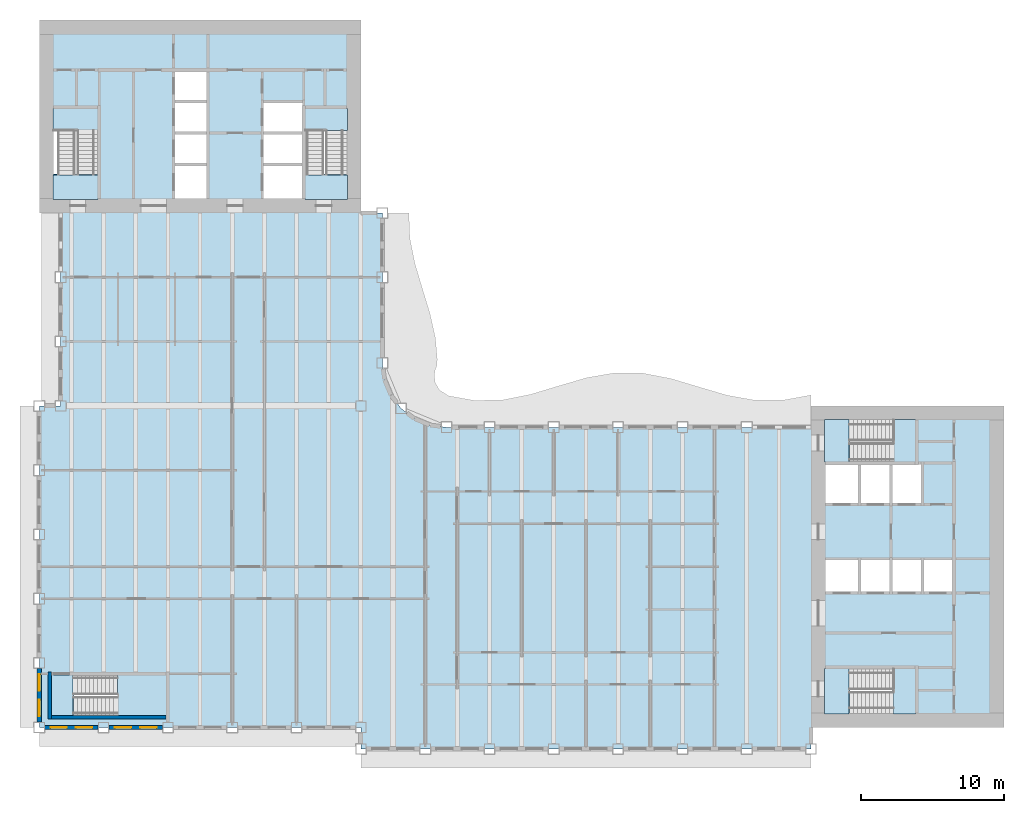
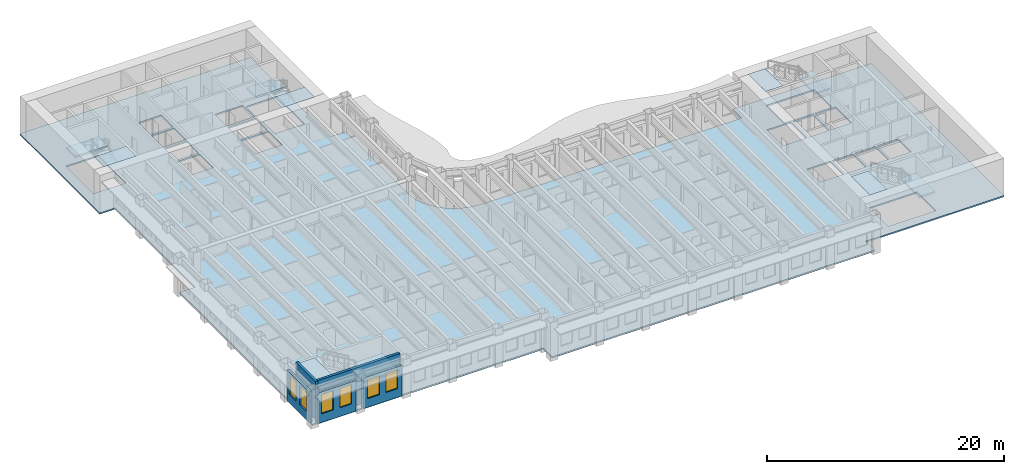
# One storey, part 2 of 16: 11 slabs, 6 windows, 5 walls, 6 openings, 5 elements without a shape of their own.
"""IFC4 building model written with IfcOpenShell, lengths in metres."""

import ifcopenshell
import ifcopenshell.guid

model = None  # the IFC model being written
_history = None  # IfcOwnerHistory: only IFC2X3 demands one
_inside = {}  # id of a spatial element -> (the spatial element, [elements in it])
_under = {}  # id of a project, library or spatial element -> (it, [spatial elements below it])
_declared = {}  # id of a project -> (the project, [libraries it declares])
_typed = {}  # id of a type object -> (the type object, [elements of that type])
_made_of = {}  # id of a material, layer set ... -> (it, [elements and type objects made of it])


def new_model(schema):
    """Start an empty IFC model of exactly this schema.

    Asked for "IFC4X3", IfcOpenShell would pick the latest addendum, in which some entities
    have other attributes; the version numbers below select the first issue.
    IFC2X3 requires an IfcOwnerHistory on every rooted entity: one is made here for all.
    """
    global model, _history
    if schema == "IFC4X3":
        model = ifcopenshell.file(schema_version=(4, 3, 0, 0))
    else:
        model = ifcopenshell.file(schema=schema)
    _inside.clear()
    _under.clear()
    _declared.clear()
    _typed.clear()
    _made_of.clear()
    _history = None
    if model.schema == "IFC2X3":
        org = make("IfcOrganization", Name="unknown")
        user = make(
            "IfcPersonAndOrganization",
            ThePerson=make("IfcPerson", FamilyName="unknown"),
            TheOrganization=org,
        )
        app = make(
            "IfcApplication",
            ApplicationDeveloper=org,
            Version="unknown",
            ApplicationFullName="unknown",
            ApplicationIdentifier="unknown",
        )
        _history = make(
            "IfcOwnerHistory",
            OwningUser=user,
            OwningApplication=app,
            ChangeAction="ADDED",
            CreationDate=0,
        )
    return model


def make(cls, **values):
    """One entity of the class cls with the attributes given. An attribute that is None is left unset."""
    return model.create_entity(
        cls, **{name: value for name, value in values.items() if value is not None}
    )


def rooted(cls, **values):
    """An entity with a GlobalId (a new one), such as an element, a storey or a relation."""
    return make(cls, GlobalId=ifcopenshell.guid.new(), OwnerHistory=_history, **values)


def si_unit(unit_type, name, prefix=None):
    """IfcSIUnit, for example si_unit("LENGTHUNIT", "METRE", prefix="MILLI")."""
    return make("IfcSIUnit", UnitType=unit_type, Prefix=prefix, Name=name)


def assignment(units):
    """IfcUnitAssignment: the units of a project."""
    return None if units is None else make("IfcUnitAssignment", Units=units)


def point(xyz):
    """IfcCartesianPoint."""
    return None if xyz is None else make("IfcCartesianPoint", Coordinates=xyz)


def direction(xyz):
    """IfcDirection."""
    return None if xyz is None else make("IfcDirection", DirectionRatios=xyz)


def frame(location, z_axis=None, x_axis=None):
    """IfcAxis2Placement3D, a coordinate frame: its origin and axes. An axis left out is left unset."""
    return make(
        "IfcAxis2Placement3D",
        Location=point(location),
        Axis=direction(z_axis),
        RefDirection=direction(x_axis),
    )


def frame_2d(location, x_axis=None):
    """IfcAxis2Placement2D, a coordinate frame in the plane: its origin and x axis."""
    return make(
        "IfcAxis2Placement2D", Location=point(location), RefDirection=direction(x_axis)
    )


def origin():
    """The frame at (0, 0, 0) with its axes left unset."""
    return frame((0.0, 0.0, 0.0))


def place(relative_to, where):
    """IfcLocalPlacement: puts the frame where relative to a parent placement (None: the world)."""
    return make(
        "IfcLocalPlacement", PlacementRelTo=relative_to, RelativePlacement=where
    )


def context(
    kind, dimensions, precision=None, world=None, true_north=None, identifier=None
):
    """IfcGeometricRepresentationContext, for example the 3D "Model" context."""
    return make(
        "IfcGeometricRepresentationContext",
        ContextIdentifier=identifier,
        ContextType=kind,
        CoordinateSpaceDimension=dimensions,
        Precision=precision,
        WorldCoordinateSystem=world,
        TrueNorth=true_north,
    )


def subcontext(parent, identifier, kind, view, scale=None):
    """IfcGeometricRepresentationSubContext, for example "Body" below "Model"."""
    return make(
        "IfcGeometricRepresentationSubContext",
        ContextIdentifier=identifier,
        ContextType=kind,
        ParentContext=parent,
        TargetScale=scale,
        TargetView=view,
    )


def project(units=None, contexts=None):
    """IfcProject with its units and contexts."""
    return rooted(
        "IfcProject",
        Name="project",
        RepresentationContexts=contexts,
        UnitsInContext=assignment(units),
    )


def spatial(cls, under=None, at=None, **own):
    """A site, building, storey or space (cls), placed at a placement, below another one or the project."""
    s = rooted(cls, ObjectPlacement=at, **own)
    if under is not None:
        _under.setdefault(under.id(), (under, []))[1].append(s)
    return s


def polyline(points):
    """IfcPolyline through the points."""
    return make("IfcPolyline", Points=[point(p) for p in points])


def profile(cls, at=None, kind="AREA", **sizes):
    """A parametric profile (cls). Its sizes go by their IFC names, for example OverallWidth=200.0."""
    return make(cls, ProfileType=kind, Position=at, **sizes)


def rectangle(**sizes):
    """IfcRectangleProfileDef."""
    return profile("IfcRectangleProfileDef", **sizes)


def outline(outer, holes=None, kind="AREA"):
    """IfcArbitraryClosedProfileDef: a profile drawn as a closed curve; with holes, ...WithVoids."""
    if holes is None:
        return make("IfcArbitraryClosedProfileDef", ProfileType=kind, OuterCurve=outer)
    return make(
        "IfcArbitraryProfileDefWithVoids",
        ProfileType=kind,
        OuterCurve=outer,
        InnerCurves=holes,
    )


def extrude(swept, where, along, depth):
    """IfcExtrudedAreaSolid: the profile swept, set in the frame where, extruded along a direction by depth."""
    return make(
        "IfcExtrudedAreaSolid",
        SweptArea=swept,
        Position=where,
        ExtrudedDirection=direction(along),
        Depth=depth,
    )


def shape(context_of_items, identifier, shape_type, items):
    """IfcShapeRepresentation: the items that make up one representation, for example the "Body"."""
    return make(
        "IfcShapeRepresentation",
        ContextOfItems=context_of_items,
        RepresentationIdentifier=identifier,
        RepresentationType=shape_type,
        Items=items,
    )


def material(Name=None, Category=None):
    """IfcMaterial."""
    return make("IfcMaterial", Name=Name, Category=Category)


def layer(
    of_material, thickness, ventilated=None, Name=None, Category=None, Priority=None
):
    """IfcMaterialLayer: one layer of a wall or slab, of a material (None: an air gap)."""
    return make(
        "IfcMaterialLayer",
        Material=of_material,
        LayerThickness=thickness,
        IsVentilated=ventilated,
        Name=Name,
        Category=Category,
        Priority=Priority,
    )


def layer_set(layers, Name=None):
    """IfcMaterialLayerSet."""
    return make("IfcMaterialLayerSet", MaterialLayers=layers, LayerSetName=Name)


def made_of(thing, what):
    """Note that an element or type object is made of a material, layer set ...; save() writes the relation."""
    if what is not None:
        _made_of.setdefault(what.id(), (what, []))[1].append(thing)
    return thing


def type_object(cls, material=None, **own):
    """A type object (cls), such as IfcWallType, which elements share."""
    return made_of(rooted(cls, **own), material)


def element(
    cls,
    number,
    at=None,
    inside=None,
    cuts=None,
    type_object=None,
    material=None,
    context=None,
    identifier="Body",
    shape_type=None,
    held_by="IfcProductDefinitionShape",
    body=None,
    shapes=None,
    **own,
):
    """One element of the class cls, such as IfcWall. Its Tag is "e" and its number.

    at: its placement. inside: the storey or other place that contains it. cuts: it is an
    opening in that element (IfcRelVoidsElement). A single representation is given by context,
    identifier, shape_type and body (its items); several are given by shapes. held_by: the class
    of the entity that holds the representations. save() writes the other relations.
    """
    e = rooted(cls, Tag="e%d" % number, ObjectPlacement=at, **own)
    if body is not None:
        shapes = [shape(context, identifier, shape_type, body)]
    if shapes is not None:
        e.Representation = make(held_by, Representations=shapes)
    if inside is not None:
        _inside.setdefault(inside.id(), (inside, []))[1].append(e)
    if cuts is not None:
        rooted(
            "IfcRelVoidsElement", RelatingBuildingElement=cuts, RelatedOpeningElement=e
        )
    if type_object is not None:
        _typed.setdefault(type_object.id(), (type_object, []))[1].append(e)
    return made_of(e, material)


def fill(opening, filler):
    """IfcRelFillsElement: the door or window that sits in an opening."""
    return rooted(
        "IfcRelFillsElement",
        RelatingOpeningElement=opening,
        RelatedBuildingElement=filler,
    )


def aggregate(whole, parts):
    """IfcRelAggregates: a whole, such as a stair, and the parts it consists of."""
    return rooted("IfcRelAggregates", RelatingObject=whole, RelatedObjects=parts)


def save(model, path):
    """Write the relations noted so far, then the file.

    IfcRelAggregates (storeys below a building ...), IfcRelContainedInSpatialStructure (elements
    in a storey), IfcRelDefinesByType, IfcRelAssociatesMaterial and IfcRelDeclares: one each for
    every whole, place, type object, material and project.
    """
    for whole, parts in _under.values():
        aggregate(whole, parts)
    for where, things in _inside.values():
        rooted(
            "IfcRelContainedInSpatialStructure",
            RelatedElements=things,
            RelatingStructure=where,
        )
    for kind, things in _typed.values():
        rooted("IfcRelDefinesByType", RelatedObjects=things, RelatingType=kind)
    for what, things in _made_of.values():
        rooted("IfcRelAssociatesMaterial", RelatedObjects=things, RelatingMaterial=what)
    for by, libraries in _declared.values():
        rooted("IfcRelDeclares", RelatingContext=by, RelatedDefinitions=libraries)
    model.write(path)


model = new_model("IFC4")

# Units and contexts
model_context = context("Model", 3, precision=1e-05, world=origin(), true_north=direction((0.0, 1.0)))
body_context = subcontext(model_context, "Body", "Model", "MODEL_VIEW")
ifc_project = project(units=[si_unit("LENGTHUNIT", "METRE"), si_unit("AREAUNIT", "SQUARE_METRE"), si_unit("VOLUMEUNIT", "CUBIC_METRE"), si_unit("PLANEANGLEUNIT", "RADIAN"), si_unit("MASSUNIT", "GRAM", prefix="KILO")], contexts=[model_context])

# Site, building, storey
site_placement = place(None, origin())
site = spatial("IfcSite", under=ifc_project, at=site_placement, CompositionType="ELEMENT")
building_placement = place(site_placement, origin())
building = spatial("IfcBuilding", under=site, at=building_placement, Name="Sennacour Bend Tower", CompositionType="ELEMENT")
storey_placement = place(building_placement, frame((0.0, 0.0, 231.0)))
storey = spatial("IfcBuildingStorey", under=building, at=storey_placement, Name="L53", CompositionType="ELEMENT", Elevation=231.0)

# Slabs
ifc_material_1 = material(Name="Concrete C30/37", Category="concrete")
ifc_layer_1 = layer(ifc_material_1, 0.14990234375, Name="Concrete C30/37", Category="concrete")
ifc_layer_set_1 = layer_set([ifc_layer_1], Name="Concrete C30/37")
slab_type_1 = type_object("IfcSlabType", Name="Floor slab 150", PredefinedType="FLOOR", material=ifc_layer_set_1)
slab_1_placement = place(storey_placement, frame((0.0, 0.0, -0.14990234375)))
element("IfcSlab", 1, at=slab_1_placement, inside=storey, type_object=slab_type_1, Name="Floor slab L53-01", PredefinedType="FLOOR", context=body_context, shape_type="SweptSolid", body=[
    extrude(outline(polyline([(22.5, 0.0), (0.0, 0.0), (0.0, 22.5), (1.5, 22.5), (1.5, 36.0), (0.0, 36.0), (0.0, 49.5), (22.5, 49.5), (22.5, 36.0), (24.0, 36.0), (24.0, 25.5), (24.1533203125, 24.335205078125), (24.602783203125, 23.25), (25.318115234375, 22.318115234375), (26.25, 21.602783203125), (27.335205078125, 21.1533203125), (28.5, 21.0), (54.0, 21.0), (54.0, 22.5), (67.5, 22.5), (67.5, 0.0), (54.0, 0.0), (54.0, -1.5), (22.5, -1.5), (22.5, 0.0)]), holes=[polyline([(8.800048828125, 0.949951171875), (8.800048828125, 3.5), (2.429931640625, 3.5), (2.429931640625, 0.949951171875), (8.800048828125, 0.949951171875)]), polyline([(11.699951171875, 37.0), (11.699951171875, 39.300048828125), (9.5, 39.300048828125), (9.5, 37.0), (11.699951171875, 37.0)]), polyline([(18.39990234375, 37.0), (18.39990234375, 39.300048828125), (15.699951171875, 39.300048828125), (15.699951171875, 37.0), (18.39990234375, 37.0)]), polyline([(11.699951171875, 39.5), (11.699951171875, 41.5), (9.5, 41.5), (9.5, 39.5), (11.699951171875, 39.5)]), polyline([(18.39990234375, 39.5), (18.39990234375, 41.5), (15.699951171875, 41.5), (15.699951171875, 39.5), (18.39990234375, 39.5)]), polyline([(4.125, 38.72998046875), (4.125, 43.39990234375), (0.949951171875, 43.39990234375), (0.949951171875, 38.72998046875), (4.125, 38.72998046875)]), polyline([(21.550048828125, 38.72998046875), (21.550048828125, 43.39990234375), (18.574951171875, 43.39990234375), (18.574951171875, 38.72998046875), (21.550048828125, 38.72998046875)]), polyline([(9.5, 41.699951171875), (11.699951171875, 41.699951171875), (11.699951171875, 43.699951171875), (9.5, 43.699951171875), (9.5, 41.699951171875)]), polyline([(15.699951171875, 41.699951171875), (18.39990234375, 41.699951171875), (18.39990234375, 43.699951171875), (15.699951171875, 43.699951171875), (15.699951171875, 41.699951171875)]), polyline([(11.699951171875, 43.89990234375), (11.699951171875, 45.89990234375), (9.5, 45.89990234375), (9.5, 43.89990234375), (11.699951171875, 43.89990234375)]), polyline([(61.39990234375, 0.949951171875), (61.39990234375, 4.125), (56.72998046875, 4.125), (56.72998046875, 0.949951171875), (61.39990234375, 0.949951171875)]), polyline([(57.300048828125, 9.5), (57.300048828125, 11.699951171875), (55.0, 11.699951171875), (55.0, 9.5), (57.300048828125, 9.5)]), polyline([(57.5, 9.5), (59.5, 9.5), (59.5, 11.699951171875), (57.5, 11.699951171875), (57.5, 9.5)]), polyline([(59.699951171875, 9.5), (61.699951171875, 9.5), (61.699951171875, 11.699951171875), (59.699951171875, 11.699951171875), (59.699951171875, 9.5)]), polyline([(63.89990234375, 9.5), (63.89990234375, 11.699951171875), (61.89990234375, 11.699951171875), (61.89990234375, 9.5), (63.89990234375, 9.5)]), polyline([(57.300048828125, 15.699951171875), (57.300048828125, 18.39990234375), (55.0, 18.39990234375), (55.0, 15.699951171875), (57.300048828125, 15.699951171875)]), polyline([(59.5, 15.699951171875), (59.5, 18.39990234375), (57.5, 18.39990234375), (57.5, 15.699951171875), (59.5, 15.699951171875)]), polyline([(59.699951171875, 15.699951171875), (61.699951171875, 15.699951171875), (61.699951171875, 18.39990234375), (59.699951171875, 18.39990234375), (59.699951171875, 15.699951171875)]), polyline([(56.72998046875, 18.574951171875), (61.39990234375, 18.574951171875), (61.39990234375, 21.550048828125), (56.72998046875, 21.550048828125), (56.72998046875, 18.574951171875)])]), origin(), (0.0, 0.0, 1.0), 0.14990234375),
])
ifc_material_2 = material(Name="Concrete C40/50", Category="concrete")
ifc_layer_2 = layer(ifc_material_2, 0.034912109375, Name="Concrete C40/50", Category="concrete")
ifc_layer_set_2 = layer_set([ifc_layer_2], Name="Concrete C40/50")
slab_type_2 = type_object("IfcSlabType", Name="Stair arrival nib 35", PredefinedType="FLOOR", material=ifc_layer_set_2)
slab_2_placement = place(storey_placement, frame((0.0, 0.0, 3.815185546875)))
element("IfcSlab", 2, at=slab_2_placement, inside=storey, type_object=slab_type_2, Name="L53 SA1 stair arrival nib", PredefinedType="FLOOR", context=body_context, shape_type="SweptSolid", body=[
    extrude(outline(polyline([(56.64208984375, 4.125), (54.949951171875, 4.125), (54.949951171875, 0.949951171875), (56.64208984375, 0.949951171875), (56.64208984375, 4.125)])), origin(), (0.0, 0.0, 1.0), 0.034912109375),
])
slab_3_placement = place(storey_placement, frame((0.0, 0.0, 3.815185546875)))
element("IfcSlab", 3, at=slab_3_placement, inside=storey, type_object=slab_type_2, Name="L53 SA2 stair arrival nib", PredefinedType="FLOOR", context=body_context, shape_type="SweptSolid", body=[
    extrude(outline(polyline([(56.64208984375, 21.550048828125), (54.949951171875, 21.550048828125), (54.949951171875, 18.574951171875), (56.64208984375, 18.574951171875), (56.64208984375, 21.550048828125)])), origin(), (0.0, 0.0, 1.0), 0.034912109375),
])
slab_4_placement = place(storey_placement, frame((0.0, 0.0, 3.815185546875)))
element("IfcSlab", 4, at=slab_4_placement, inside=storey, type_object=slab_type_2, Name="L53 SB1 stair arrival nib", PredefinedType="FLOOR", context=body_context, shape_type="SweptSolid", body=[
    extrude(outline(polyline([(0.949951171875, 38.64208984375), (0.949951171875, 36.949951171875), (4.125, 36.949951171875), (4.125, 38.64208984375), (0.949951171875, 38.64208984375)])), origin(), (0.0, 0.0, 1.0), 0.034912109375),
])
slab_5_placement = place(storey_placement, frame((0.0, 0.0, 3.815185546875)))
element("IfcSlab", 5, at=slab_5_placement, inside=storey, type_object=slab_type_2, Name="L53 SB2 stair arrival nib", PredefinedType="FLOOR", context=body_context, shape_type="SweptSolid", body=[
    extrude(outline(polyline([(18.574951171875, 38.64208984375), (18.574951171875, 36.949951171875), (21.550048828125, 36.949951171875), (21.550048828125, 38.64208984375), (18.574951171875, 38.64208984375)])), origin(), (0.0, 0.0, 1.0), 0.034912109375),
])
slab_6_placement = place(storey_placement, frame((0.0, 0.0, 3.815185546875)))
element("IfcSlab", 6, at=slab_6_placement, inside=storey, type_object=slab_type_2, Name="L53 SK1 stair arrival nib", PredefinedType="FLOOR", context=body_context, shape_type="SweptSolid", body=[
    extrude(outline(polyline([(2.342041015625, 3.675048828125), (0.800048828125, 3.675048828125), (0.800048828125, 0.800048828125), (2.342041015625, 0.800048828125), (2.342041015625, 3.675048828125)])), origin(), (0.0, 0.0, 1.0), 0.034912109375),
])

# Stair, slab
stair_type = type_object("IfcStairType", Name="ST-DOGLEG", PredefinedType="HALF_TURN_STAIR", material=ifc_material_2)
stair_1_placement = place(storey_placement, origin())
stair_1 = element("IfcStair", 7, at=stair_1_placement, inside=storey, type_object=stair_type, Name="L53 Exit stair A1", PredefinedType="HALF_TURN_STAIR")
ifc_layer_3 = layer(ifc_material_2, 0.199951171875, Name="Concrete C40/50", Category="concrete")
ifc_layer_set_3 = layer_set([ifc_layer_3], Name="Concrete C40/50")
slab_type_3 = type_object("IfcSlabType", Name="Stair landing 200", PredefinedType="LANDING", material=ifc_layer_set_3)
slab_7_placement = place(storey_placement, frame((0.0, 0.0, 1.800048828125)))
slab_7 = element("IfcSlab", 8, at=slab_7_placement, type_object=slab_type_3, Name="SA1 landing 1", PredefinedType="LANDING", context=body_context, shape_type="SweptSolid", body=[
    extrude(outline(polyline([(59.780029296875, 0.949951171875), (61.324951171875, 0.949951171875), (61.324951171875, 4.125), (59.780029296875, 4.125), (59.780029296875, 0.949951171875)])), origin(), (0.0, 0.0, 1.0), 0.199951171875),
])
aggregate(stair_1, [slab_7])

stair_2_placement = place(storey_placement, origin())
stair_2 = element("IfcStair", 9, at=stair_2_placement, inside=storey, type_object=stair_type, Name="L53 Exit stair A2", PredefinedType="HALF_TURN_STAIR")
slab_8_placement = place(storey_placement, frame((0.0, 0.0, 1.800048828125)))
slab_8 = element("IfcSlab", 10, at=slab_8_placement, type_object=slab_type_3, Name="SA2 landing 1", PredefinedType="LANDING", context=body_context, shape_type="SweptSolid", body=[
    extrude(outline(polyline([(59.780029296875, 18.574951171875), (61.324951171875, 18.574951171875), (61.324951171875, 21.550048828125), (59.780029296875, 21.550048828125), (59.780029296875, 18.574951171875)])), origin(), (0.0, 0.0, 1.0), 0.199951171875),
])
aggregate(stair_2, [slab_8])

stair_3_placement = place(storey_placement, origin())
stair_3 = element("IfcStair", 11, at=stair_3_placement, inside=storey, type_object=stair_type, Name="L53 Exit stair B1", PredefinedType="HALF_TURN_STAIR")
slab_9_placement = place(storey_placement, frame((0.0, 0.0, 1.800048828125)))
slab_9 = element("IfcSlab", 12, at=slab_9_placement, type_object=slab_type_3, Name="SB1 landing 1", PredefinedType="LANDING", context=body_context, shape_type="SweptSolid", body=[
    extrude(outline(polyline([(0.949951171875, 41.780029296875), (4.125, 41.780029296875), (4.125, 43.324951171875), (0.949951171875, 43.324951171875), (0.949951171875, 41.780029296875)])), origin(), (0.0, 0.0, 1.0), 0.199951171875),
])
aggregate(stair_3, [slab_9])

stair_4_placement = place(storey_placement, origin())
stair_4 = element("IfcStair", 13, at=stair_4_placement, inside=storey, type_object=stair_type, Name="L53 Exit stair B2", PredefinedType="HALF_TURN_STAIR")
slab_10_placement = place(storey_placement, frame((0.0, 0.0, 1.800048828125)))
slab_10 = element("IfcSlab", 14, at=slab_10_placement, type_object=slab_type_3, Name="SB2 landing 1", PredefinedType="LANDING", context=body_context, shape_type="SweptSolid", body=[
    extrude(outline(polyline([(18.574951171875, 41.780029296875), (21.550048828125, 41.780029296875), (21.550048828125, 43.324951171875), (18.574951171875, 43.324951171875), (18.574951171875, 41.780029296875)])), origin(), (0.0, 0.0, 1.0), 0.199951171875),
])
aggregate(stair_4, [slab_10])

stair_5_placement = place(storey_placement, origin())
stair_5 = element("IfcStair", 15, at=stair_5_placement, inside=storey, type_object=stair_type, Name="L53 Exit stair K1", PredefinedType="HALF_TURN_STAIR")
slab_11_placement = place(storey_placement, frame((0.0, 0.0, 1.800048828125)))
slab_11 = element("IfcSlab", 16, at=slab_11_placement, type_object=slab_type_3, Name="SK1 landing 1", PredefinedType="LANDING", context=body_context, shape_type="SweptSolid", body=[
    extrude(outline(polyline([(5.47998046875, 0.800048828125), (8.925048828125, 0.800048828125), (8.925048828125, 3.675048828125), (5.47998046875, 3.675048828125), (5.47998046875, 0.800048828125)])), origin(), (0.0, 0.0, 1.0), 0.199951171875),
])
aggregate(stair_5, [slab_11])

# Wall, openings, windows
ifc_material_3 = material(Name="Warm limestone cladding", Category="masonry")
ifc_layer_4 = layer(ifc_material_3, 0.050048828125, Name="Warm limestone cladding", Category="masonry")
ifc_material_4 = material(Name="Precast concrete C40/50", Category="concrete")
ifc_layer_5 = layer(ifc_material_4, 0.25, Name="Precast concrete C40/50", Category="concrete")
ifc_layer_set_4 = layer_set([ifc_layer_4, ifc_layer_5], Name="Precast concrete C40/50 with limestone cladding")
wall_type_1 = type_object("IfcWallType", Name="STONE-CLAD PRECAST SPANDREL 300", PredefinedType="STANDARD", material=ifc_layer_set_4)
wall_1_placement = place(storey_placement, frame((0.0, 4.125, 0.0), z_axis=(0.0, 0.0, 1.0), x_axis=(0.0, -1.0, 0.0)))
wall_1 = element("IfcWall", 17, at=wall_1_placement, inside=storey, type_object=wall_type_1, Name="Stone spandrel and pier wall L53 21.04", PredefinedType="STANDARD", context=body_context, shape_type="SweptSolid", body=[
    extrude(rectangle(XDim=3.75, YDim=0.300048828125, at=frame_2d((1.875, 0.0))), origin(), (0.0, 0.0, 1.0), 3.156982421875),
])
opening_1_placement = place(wall_1_placement, frame((0.41259765625, 0.0, 0.89990234375)))
opening_1 = element("IfcOpeningElement", 18, at=opening_1_placement, cuts=wall_1, Name="Opening W24", PredefinedType="OPENING", context=body_context, shape_type="SweptSolid", body=[
    extrude(rectangle(XDim=1.14990234375, YDim=2.0, at=frame_2d((0.574951171875, 1.0))), frame((0.0, 0.16015625, 0.0), z_axis=(0.0, -1.0, 0.0), x_axis=(1.0, 0.0, 0.0)), (0.0, 0.0, 1.0), 0.320068359375),
])
opening_2_placement = place(wall_1_placement, frame((2.1875, 0.0, 0.89990234375)))
opening_2 = element("IfcOpeningElement", 19, at=opening_2_placement, cuts=wall_1, Name="Opening W24", PredefinedType="OPENING", context=body_context, shape_type="SweptSolid", body=[
    extrude(rectangle(XDim=1.14990234375, YDim=2.0, at=frame_2d((0.574951171875, 1.0))), frame((0.0, 0.16015625, 0.0), z_axis=(0.0, -1.0, 0.0), x_axis=(1.0, 0.0, 0.0)), (0.0, 0.0, 1.0), 0.320068359375),
])
ifc_material_5 = material(Name="Clear low-emissivity glass", Category="glass")
window_type = type_object("IfcWindowType", Name="WIN-RIBBON-1150x2000", PartitioningType="SINGLE_PANEL", PredefinedType="WINDOW", material=ifc_material_5)
window_1_placement = place(opening_1_placement, origin())
window_1 = element("IfcWindow", 20, at=window_1_placement, inside=storey, type_object=window_type, Name="Ribbon window L53 21.04.0", OverallHeight=2.0, OverallWidth=1.14990234375, PartitioningType="SINGLE_PANEL", PredefinedType="WINDOW", context=body_context, shape_type="SweptSolid", body=[
    extrude(rectangle(XDim=1.14990234375, YDim=2.0, at=frame_2d((0.574951171875, 1.0))), frame((0.0, 0.030029296875, 0.0), z_axis=(0.0, -1.0, 0.0), x_axis=(1.0, 0.0, 0.0)), (0.0, 0.0, 1.0), 0.06005859375),
])
fill(opening_1, window_1)
window_2_placement = place(opening_2_placement, origin())
window_2 = element("IfcWindow", 21, at=window_2_placement, inside=storey, type_object=window_type, Name="Ribbon window L53 21.04.1", OverallHeight=2.0, OverallWidth=1.14990234375, PartitioningType="SINGLE_PANEL", PredefinedType="WINDOW", context=body_context, shape_type="SweptSolid", body=[
    extrude(rectangle(XDim=1.14990234375, YDim=2.0, at=frame_2d((0.574951171875, 1.0))), frame((0.0, 0.030029296875, 0.0), z_axis=(0.0, -1.0, 0.0), x_axis=(1.0, 0.0, 0.0)), (0.0, 0.0, 1.0), 0.06005859375),
])
fill(opening_2, window_2)

wall_2_placement = place(storey_placement, frame((0.375, 0.0, 0.0), z_axis=(0.0, 0.0, 1.0), x_axis=(1.0, 0.0, 0.0)))
wall_2 = element("IfcWall", 22, at=wall_2_placement, inside=storey, type_object=wall_type_1, Name="Stone spandrel and pier wall L53 22.00", PredefinedType="STANDARD", context=body_context, shape_type="SweptSolid", body=[
    extrude(rectangle(XDim=3.75, YDim=0.300048828125, at=frame_2d((1.875, 0.0))), origin(), (0.0, 0.0, 1.0), 3.156982421875),
])
opening_3_placement = place(wall_2_placement, frame((0.41259765625, 0.0, 0.89990234375)))
opening_3 = element("IfcOpeningElement", 23, at=opening_3_placement, cuts=wall_2, Name="Opening W24", PredefinedType="OPENING", context=body_context, shape_type="SweptSolid", body=[
    extrude(rectangle(XDim=1.14990234375, YDim=2.0, at=frame_2d((0.574951171875, 1.0))), frame((0.0, 0.16015625, 0.0), z_axis=(0.0, -1.0, 0.0), x_axis=(1.0, 0.0, 0.0)), (0.0, 0.0, 1.0), 0.320068359375),
])
opening_4_placement = place(wall_2_placement, frame((2.1875, 0.0, 0.89990234375)))
opening_4 = element("IfcOpeningElement", 24, at=opening_4_placement, cuts=wall_2, Name="Opening W24", PredefinedType="OPENING", context=body_context, shape_type="SweptSolid", body=[
    extrude(rectangle(XDim=1.14990234375, YDim=2.0, at=frame_2d((0.574951171875, 1.0))), frame((0.0, 0.16015625, 0.0), z_axis=(0.0, -1.0, 0.0), x_axis=(1.0, 0.0, 0.0)), (0.0, 0.0, 1.0), 0.320068359375),
])
window_3_placement = place(opening_3_placement, origin())
window_3 = element("IfcWindow", 25, at=window_3_placement, inside=storey, type_object=window_type, Name="Ribbon window L53 22.00.0", OverallHeight=2.0, OverallWidth=1.14990234375, PartitioningType="SINGLE_PANEL", PredefinedType="WINDOW", context=body_context, shape_type="SweptSolid", body=[
    extrude(rectangle(XDim=1.14990234375, YDim=2.0, at=frame_2d((0.574951171875, 1.0))), frame((0.0, 0.030029296875, 0.0), z_axis=(0.0, -1.0, 0.0), x_axis=(1.0, 0.0, 0.0)), (0.0, 0.0, 1.0), 0.06005859375),
])
fill(opening_3, window_3)
window_4_placement = place(opening_4_placement, origin())
window_4 = element("IfcWindow", 26, at=window_4_placement, inside=storey, type_object=window_type, Name="Ribbon window L53 22.00.1", OverallHeight=2.0, OverallWidth=1.14990234375, PartitioningType="SINGLE_PANEL", PredefinedType="WINDOW", context=body_context, shape_type="SweptSolid", body=[
    extrude(rectangle(XDim=1.14990234375, YDim=2.0, at=frame_2d((0.574951171875, 1.0))), frame((0.0, 0.030029296875, 0.0), z_axis=(0.0, -1.0, 0.0), x_axis=(1.0, 0.0, 0.0)), (0.0, 0.0, 1.0), 0.06005859375),
])
fill(opening_4, window_4)

wall_3_placement = place(storey_placement, frame((4.875, 0.0, 0.0), z_axis=(0.0, 0.0, 1.0), x_axis=(1.0, 0.0, 0.0)))
wall_3 = element("IfcWall", 27, at=wall_3_placement, inside=storey, type_object=wall_type_1, Name="Stone spandrel and pier wall L53 22.01", PredefinedType="STANDARD", context=body_context, shape_type="SweptSolid", body=[
    extrude(rectangle(XDim=3.75, YDim=0.300048828125, at=frame_2d((1.875, 0.0))), origin(), (0.0, 0.0, 1.0), 3.156982421875),
])
opening_5_placement = place(wall_3_placement, frame((0.41259765625, 0.0, 0.89990234375)))
opening_5 = element("IfcOpeningElement", 28, at=opening_5_placement, cuts=wall_3, Name="Opening W24", PredefinedType="OPENING", context=body_context, shape_type="SweptSolid", body=[
    extrude(rectangle(XDim=1.14990234375, YDim=2.0, at=frame_2d((0.574951171875, 1.0))), frame((0.0, 0.16015625, 0.0), z_axis=(0.0, -1.0, 0.0), x_axis=(1.0, 0.0, 0.0)), (0.0, 0.0, 1.0), 0.320068359375),
])
opening_6_placement = place(wall_3_placement, frame((2.1875, 0.0, 0.89990234375)))
opening_6 = element("IfcOpeningElement", 29, at=opening_6_placement, cuts=wall_3, Name="Opening W24", PredefinedType="OPENING", context=body_context, shape_type="SweptSolid", body=[
    extrude(rectangle(XDim=1.14990234375, YDim=2.0, at=frame_2d((0.574951171875, 1.0))), frame((0.0, 0.16015625, 0.0), z_axis=(0.0, -1.0, 0.0), x_axis=(1.0, 0.0, 0.0)), (0.0, 0.0, 1.0), 0.320068359375),
])
window_5_placement = place(opening_5_placement, origin())
window_5 = element("IfcWindow", 30, at=window_5_placement, inside=storey, type_object=window_type, Name="Ribbon window L53 22.01.0", OverallHeight=2.0, OverallWidth=1.14990234375, PartitioningType="SINGLE_PANEL", PredefinedType="WINDOW", context=body_context, shape_type="SweptSolid", body=[
    extrude(rectangle(XDim=1.14990234375, YDim=2.0, at=frame_2d((0.574951171875, 1.0))), frame((0.0, 0.030029296875, 0.0), z_axis=(0.0, -1.0, 0.0), x_axis=(1.0, 0.0, 0.0)), (0.0, 0.0, 1.0), 0.06005859375),
])
fill(opening_5, window_5)
window_6_placement = place(opening_6_placement, origin())
window_6 = element("IfcWindow", 31, at=window_6_placement, inside=storey, type_object=window_type, Name="Ribbon window L53 22.01.1", OverallHeight=2.0, OverallWidth=1.14990234375, PartitioningType="SINGLE_PANEL", PredefinedType="WINDOW", context=body_context, shape_type="SweptSolid", body=[
    extrude(rectangle(XDim=1.14990234375, YDim=2.0, at=frame_2d((0.574951171875, 1.0))), frame((0.0, 0.030029296875, 0.0), z_axis=(0.0, -1.0, 0.0), x_axis=(1.0, 0.0, 0.0)), (0.0, 0.0, 1.0), 0.06005859375),
])
fill(opening_6, window_6)

# Walls
ifc_material_6 = material(Name="Concrete C60/75", Category="concrete")
ifc_layer_6 = layer(ifc_material_6, 0.25, Name="Concrete C60/75", Category="concrete")
ifc_layer_set_5 = layer_set([ifc_layer_6], Name="Concrete C60/75")
wall_type_2 = type_object("IfcWallType", Name="Stair wall 250", PredefinedType="SHEAR", material=ifc_layer_set_5)
wall_4_placement = place(storey_placement, frame((0.72509765625, 0.60009765625, 0.0), z_axis=(0.0, 0.0, 1.0), x_axis=(0.0, 1.0, 0.0)))
element("IfcWall", 32, at=wall_4_placement, inside=storey, type_object=wall_type_2, Name="P-L53-W002", PredefinedType="SHEAR", context=body_context, shape_type="SweptSolid", body=[
    extrude(rectangle(XDim=3.27490234375, YDim=0.25, at=frame_2d((1.637451171875, 0.0))), origin(), (0.0, 0.0, 1.0), 3.85009765625),
])
wall_5_placement = place(storey_placement, frame((0.85009765625, 0.72509765625, 0.0), z_axis=(0.0, 0.0, 1.0), x_axis=(1.0, 0.0, 0.0)))
element("IfcWall", 33, at=wall_5_placement, inside=storey, type_object=wall_type_2, Name="P-L53-W051", PredefinedType="SHEAR", context=body_context, shape_type="SweptSolid", body=[
    extrude(rectangle(XDim=8.02490234375, YDim=0.25, at=frame_2d((4.012451171875, 0.0))), origin(), (0.0, 0.0, 1.0), 3.85009765625),
])

save(model, "model.ifc")
